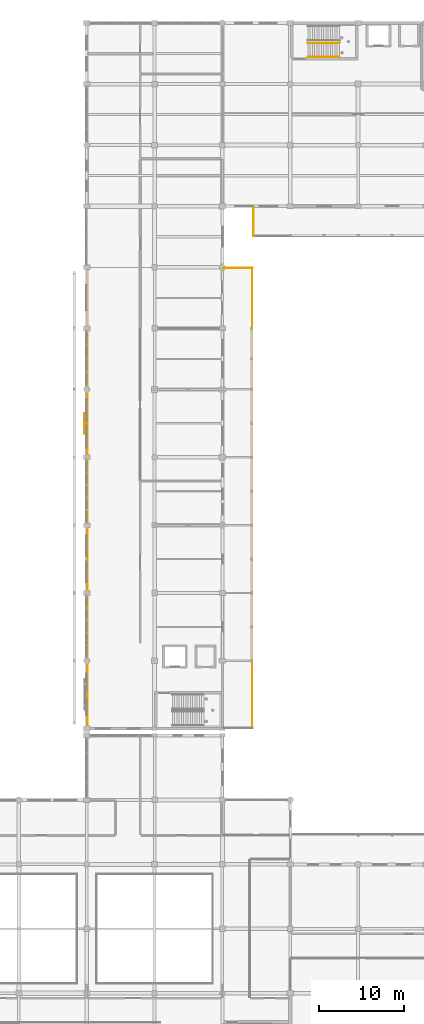
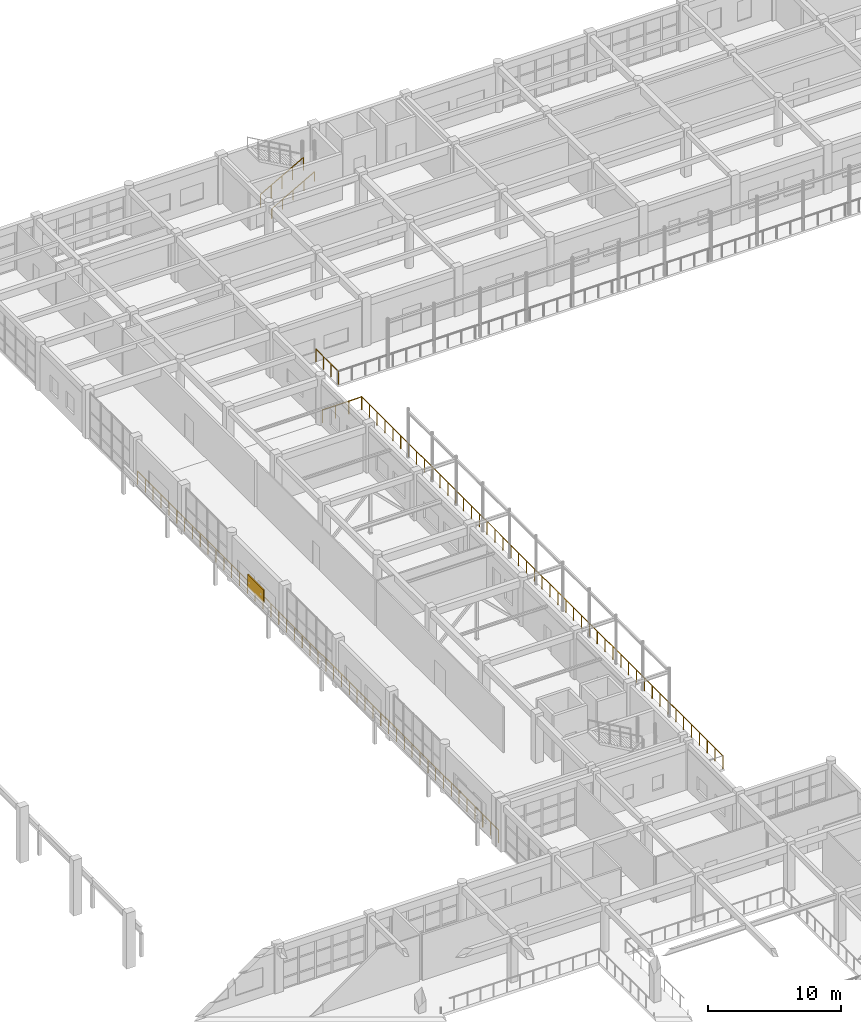
# One storey, part 152 of 160: 6 railings, 1 shading device.
"""IFC4 building model written with IfcOpenShell, lengths in metres."""

from ifc_helpers import new_model, si_unit, direction, frame, origin, origin_2d, place, context, subcontext, project, spatial, rectangle, circle, extrude, material, type_object, element, save


model = new_model("IFC4")

# Units and contexts
model_context = context("Model", 3, precision=1e-05, world=origin(), true_north=direction((0.0, 1.0)))
body_context = subcontext(model_context, "Body", "Model", "MODEL_VIEW")
ifc_project = project(units=[si_unit("LENGTHUNIT", "METRE"), si_unit("AREAUNIT", "SQUARE_METRE"), si_unit("VOLUMEUNIT", "CUBIC_METRE"), si_unit("PLANEANGLEUNIT", "RADIAN"), si_unit("MASSUNIT", "GRAM", prefix="KILO")], contexts=[model_context])

# Site, building, storey
site_placement = place(None, origin())
site = spatial("IfcSite", under=ifc_project, at=site_placement, CompositionType="ELEMENT")
building_placement = place(site_placement, origin())
building = spatial("IfcBuilding", under=site, at=building_placement, Name="Kharva Crest Polytechnic", CompositionType="ELEMENT")
storey_placement = place(building_placement, frame((0.0, 0.0, 4.5)))
storey = spatial("IfcBuildingStorey", under=building, at=storey_placement, Name="L01", CompositionType="ELEMENT", Elevation=4.5)

# Railings
ifc_material_1 = material(Name="Anodised aluminium", Category="aluminium")
railing_type_1 = type_object("IfcRailingType", Name="RL-BALUSTRADE-1200", PredefinedType="BALUSTRADE", material=ifc_material_1)
railing_1_placement = place(storey_placement, frame((48.139892578125, 93.1201171875, 0.0)))
element("IfcRailing", 1, at=railing_1_placement, inside=storey, type_object=railing_type_1, Name="L01 VER_W_L01 N Balustrade 4", PredefinedType="BALUSTRADE", context=body_context, shape_type="SweptSolid", body=[
    extrude(circle(Radius=0.02392578125, at=origin_2d()), frame((0.0, 0.0, 1.17578125), z_axis=(1.0, 0.0, 0.0), x_axis=(0.0, 1.0, 0.0)), (0.0, 0.0, 1.0), 3.400146484375),
    extrude(circle(Radius=0.02099609375, at=origin_2d()), origin(), (0.0, 0.0, 1.0), 1.15185546875),
    extrude(circle(Radius=0.02099609375, at=origin_2d()), frame((1.13330078125, 0.0, 0.0)), (0.0, 0.0, 1.0), 1.15185546875),
    extrude(circle(Radius=0.02099609375, at=origin_2d()), frame((2.266845703125, 0.0, 0.0)), (0.0, 0.0, 1.0), 1.15185546875),
    extrude(circle(Radius=0.02099609375, at=origin_2d()), frame((3.400146484375, 0.0, 0.0)), (0.0, 0.0, 1.0), 1.15185546875),
])
railing_2_placement = place(storey_placement, frame((51.52001953125, 38.860107421875, 0.0)))
element("IfcRailing", 2, at=railing_2_placement, inside=storey, type_object=railing_type_1, Name="L01 VER_W_L01 E Balustrade 5", PredefinedType="BALUSTRADE", context=body_context, shape_type="SweptSolid", body=[
    extrude(circle(Radius=0.02392578125, at=origin_2d()), frame((0.0, 0.0, 1.17578125), z_axis=(0.0, 1.0, 0.0), x_axis=(-1.0, 0.0, 0.0)), (0.0, 0.0, 1.0), 54.27978515625),
    extrude(circle(Radius=0.02099609375, at=origin_2d()), origin(), (0.0, 0.0, 1.0), 1.15185546875),
    extrude(circle(Radius=0.02099609375, at=origin_2d()), frame((0.0, 1.179931640625, 0.0)), (0.0, 0.0, 1.0), 1.15185546875),
    extrude(circle(Radius=0.02099609375, at=origin_2d()), frame((0.0, 2.360107421875, 0.0)), (0.0, 0.0, 1.0), 1.15185546875),
    extrude(circle(Radius=0.02099609375, at=origin_2d()), frame((0.0, 3.5400390625, 0.0)), (0.0, 0.0, 1.0), 1.15185546875),
    extrude(circle(Radius=0.02099609375, at=origin_2d()), frame((0.0, 4.719970703125, 0.0)), (0.0, 0.0, 1.0), 1.15185546875),
    extrude(circle(Radius=0.02099609375, at=origin_2d()), frame((0.0, 5.89990234375, 0.0)), (0.0, 0.0, 1.0), 1.15185546875),
    extrude(circle(Radius=0.02099609375, at=origin_2d()), frame((0.0, 7.080078125, 0.0)), (0.0, 0.0, 1.0), 1.15185546875),
    extrude(circle(Radius=0.02099609375, at=origin_2d()), frame((0.0, 8.260009765625, 0.0)), (0.0, 0.0, 1.0), 1.15185546875),
    extrude(circle(Radius=0.02099609375, at=origin_2d()), frame((0.0, 9.43994140625, 0.0)), (0.0, 0.0, 1.0), 1.15185546875),
    extrude(circle(Radius=0.02099609375, at=origin_2d()), frame((0.0, 10.619873046875, 0.0)), (0.0, 0.0, 1.0), 1.15185546875),
    extrude(circle(Radius=0.02099609375, at=origin_2d()), frame((0.0, 11.800048828125, 0.0)), (0.0, 0.0, 1.0), 1.15185546875),
    extrude(circle(Radius=0.02099609375, at=origin_2d()), frame((0.0, 12.97998046875, 0.0)), (0.0, 0.0, 1.0), 1.15185546875),
    extrude(circle(Radius=0.02099609375, at=origin_2d()), frame((0.0, 14.159912109375, 0.0)), (0.0, 0.0, 1.0), 1.15185546875),
    extrude(circle(Radius=0.02099609375, at=origin_2d()), frame((0.0, 15.33984375, 0.0)), (0.0, 0.0, 1.0), 1.15185546875),
    extrude(circle(Radius=0.02099609375, at=origin_2d()), frame((0.0, 16.52001953125, 0.0)), (0.0, 0.0, 1.0), 1.15185546875),
    extrude(circle(Radius=0.02099609375, at=origin_2d()), frame((0.0, 17.699951171875, 0.0)), (0.0, 0.0, 1.0), 1.15185546875),
    extrude(circle(Radius=0.02099609375, at=origin_2d()), frame((0.0, 18.8798828125, 0.0)), (0.0, 0.0, 1.0), 1.15185546875),
    extrude(circle(Radius=0.02099609375, at=origin_2d()), frame((0.0, 20.059814453125, 0.0)), (0.0, 0.0, 1.0), 1.15185546875),
    extrude(circle(Radius=0.02099609375, at=origin_2d()), frame((0.0, 21.239990234375, 0.0)), (0.0, 0.0, 1.0), 1.15185546875),
    extrude(circle(Radius=0.02099609375, at=origin_2d()), frame((0.0, 22.419921875, 0.0)), (0.0, 0.0, 1.0), 1.15185546875),
    extrude(circle(Radius=0.02099609375, at=origin_2d()), frame((0.0, 23.599853515625, 0.0)), (0.0, 0.0, 1.0), 1.15185546875),
    extrude(circle(Radius=0.02099609375, at=origin_2d()), frame((0.0, 24.77978515625, 0.0)), (0.0, 0.0, 1.0), 1.15185546875),
    extrude(circle(Radius=0.02099609375, at=origin_2d()), frame((0.0, 25.9599609375, 0.0)), (0.0, 0.0, 1.0), 1.15185546875),
    extrude(circle(Radius=0.02099609375, at=origin_2d()), frame((0.0, 27.139892578125, 0.0)), (0.0, 0.0, 1.0), 1.15185546875),
    extrude(circle(Radius=0.02099609375, at=origin_2d()), frame((0.0, 28.31982421875, 0.0)), (0.0, 0.0, 1.0), 1.15185546875),
    extrude(circle(Radius=0.02099609375, at=origin_2d()), frame((0.0, 29.5, 0.0)), (0.0, 0.0, 1.0), 1.15185546875),
    extrude(circle(Radius=0.02099609375, at=origin_2d()), frame((0.0, 30.679931640625, 0.0)), (0.0, 0.0, 1.0), 1.15185546875),
    extrude(circle(Radius=0.02099609375, at=origin_2d()), frame((0.0, 31.85986328125, 0.0)), (0.0, 0.0, 1.0), 1.15185546875),
    extrude(circle(Radius=0.02099609375, at=origin_2d()), frame((0.0, 33.039794921875, 0.0)), (0.0, 0.0, 1.0), 1.15185546875),
    extrude(circle(Radius=0.02099609375, at=origin_2d()), frame((0.0, 34.219970703125, 0.0)), (0.0, 0.0, 1.0), 1.15185546875),
    extrude(circle(Radius=0.02099609375, at=origin_2d()), frame((0.0, 35.39990234375, 0.0)), (0.0, 0.0, 1.0), 1.15185546875),
    extrude(circle(Radius=0.02099609375, at=origin_2d()), frame((0.0, 36.579833984375, 0.0)), (0.0, 0.0, 1.0), 1.15185546875),
    extrude(circle(Radius=0.02099609375, at=origin_2d()), frame((0.0, 37.759765625, 0.0)), (0.0, 0.0, 1.0), 1.15185546875),
    extrude(circle(Radius=0.02099609375, at=origin_2d()), frame((0.0, 38.93994140625, 0.0)), (0.0, 0.0, 1.0), 1.15185546875),
    extrude(circle(Radius=0.02099609375, at=origin_2d()), frame((0.0, 40.119873046875, 0.0)), (0.0, 0.0, 1.0), 1.15185546875),
    extrude(circle(Radius=0.02099609375, at=origin_2d()), frame((0.0, 41.2998046875, 0.0)), (0.0, 0.0, 1.0), 1.15185546875),
    extrude(circle(Radius=0.02099609375, at=origin_2d()), frame((0.0, 42.479736328125, 0.0)), (0.0, 0.0, 1.0), 1.15185546875),
    extrude(circle(Radius=0.02099609375, at=origin_2d()), frame((0.0, 43.659912109375, 0.0)), (0.0, 0.0, 1.0), 1.15185546875),
    extrude(circle(Radius=0.02099609375, at=origin_2d()), frame((0.0, 44.83984375, 0.0)), (0.0, 0.0, 1.0), 1.15185546875),
    extrude(circle(Radius=0.02099609375, at=origin_2d()), frame((0.0, 46.019775390625, 0.0)), (0.0, 0.0, 1.0), 1.15185546875),
    extrude(circle(Radius=0.02099609375, at=origin_2d()), frame((0.0, 47.19970703125, 0.0)), (0.0, 0.0, 1.0), 1.15185546875),
    extrude(circle(Radius=0.02099609375, at=origin_2d()), frame((0.0, 48.3798828125, 0.0)), (0.0, 0.0, 1.0), 1.15185546875),
    extrude(circle(Radius=0.02099609375, at=origin_2d()), frame((0.0, 49.559814453125, 0.0)), (0.0, 0.0, 1.0), 1.15185546875),
    extrude(circle(Radius=0.02099609375, at=origin_2d()), frame((0.0, 50.73974609375, 0.0)), (0.0, 0.0, 1.0), 1.15185546875),
    extrude(circle(Radius=0.02099609375, at=origin_2d()), frame((0.0, 51.919677734375, 0.0)), (0.0, 0.0, 1.0), 1.15185546875),
    extrude(circle(Radius=0.02099609375, at=origin_2d()), frame((0.0, 53.099853515625, 0.0)), (0.0, 0.0, 1.0), 1.15185546875),
    extrude(circle(Radius=0.02099609375, at=origin_2d()), frame((0.0, 54.27978515625, 0.0)), (0.0, 0.0, 1.0), 1.15185546875),
])
railing_3_placement = place(storey_placement, frame((51.679931640625, 96.860107421875, 0.0)))
element("IfcRailing", 3, at=railing_3_placement, inside=storey, type_object=railing_type_1, Name="L01 VER_N_L01 W Balustrade 7", PredefinedType="BALUSTRADE", context=body_context, shape_type="SweptSolid", body=[
    extrude(circle(Radius=0.02392578125, at=origin_2d()), frame((0.0, 0.0, 1.17578125), z_axis=(0.0, 1.0, 0.0), x_axis=(-1.0, 0.0, 0.0)), (0.0, 0.0, 1.0), 3.39990234375),
    extrude(circle(Radius=0.02099609375, at=origin_2d()), origin(), (0.0, 0.0, 1.0), 1.15185546875),
    extrude(circle(Radius=0.02099609375, at=origin_2d()), frame((0.0, 1.13330078125, 0.0)), (0.0, 0.0, 1.0), 1.15185546875),
    extrude(circle(Radius=0.02099609375, at=origin_2d()), frame((0.0, 2.2666015625, 0.0)), (0.0, 0.0, 1.0), 1.15185546875),
    extrude(circle(Radius=0.02099609375, at=origin_2d()), frame((0.0, 3.39990234375, 0.0)), (0.0, 0.0, 1.0), 1.15185546875),
])
railing_type_2 = type_object("IfcRailingType", Name="RL-STAIR-GUARD-1200", PredefinedType="GUARDRAIL", material=ifc_material_1)
railing_4_placement = place(storey_placement, frame((58.090087890625, 119.669921875, 0.14990234375)))
element("IfcRailing", 4, at=railing_4_placement, inside=storey, type_object=railing_type_2, Name="L01 ST-03 stair guard 1", PredefinedType="GUARDRAIL", context=body_context, shape_type="SweptSolid", body=[
    extrude(circle(Radius=0.02392578125, at=origin_2d()), frame((0.0, 0.0, 1.17578125), z_axis=(0.870244811389, 0.0, 0.492619496418), x_axis=(0.0, 1.0, 0.0)), (0.0, 0.0, 1.0), 4.26318359375),
    extrude(circle(Radius=0.02099609375, at=origin_2d()), origin(), (0.0, 0.0, 1.0), 1.15185546875),
    extrude(circle(Radius=0.02099609375, at=origin_2d()), frame((0.927490234375, 0.0, 0.52490234375)), (0.0, 0.0, 1.0), 1.15185546875),
    extrude(circle(Radius=0.02099609375, at=origin_2d()), frame((1.85498046875, 0.0, 1.050048828125)), (0.0, 0.0, 1.0), 1.15185546875),
    extrude(circle(Radius=0.02099609375, at=origin_2d()), frame((2.782470703125, 0.0, 1.5751953125)), (0.0, 0.0, 1.0), 1.15185546875),
    extrude(circle(Radius=0.02099609375, at=origin_2d()), frame((3.7099609375, 0.0, 2.10009765625)), (0.0, 0.0, 1.0), 1.15185546875),
])
ifc_material_2 = material(Name="Teak timber", Category="wood")
railing_type_3 = type_object("IfcRailingType", Name="RL-STAIR-HAND-900", PredefinedType="HANDRAIL", material=ifc_material_2)
railing_5_placement = place(storey_placement, frame((58.090087890625, 117.989990234375, 0.14990234375)))
element("IfcRailing", 5, at=railing_5_placement, inside=storey, type_object=railing_type_3, Name="L01 ST-03 stair handrail 1", PredefinedType="HANDRAIL", context=body_context, shape_type="SweptSolid", body=[
    extrude(circle(Radius=0.02392578125, at=origin_2d()), frame((0.0, 0.0, 0.8759765625), z_axis=(0.870244811389, 0.0, 0.492619496418), x_axis=(0.0, 1.0, 0.0)), (0.0, 0.0, 1.0), 4.26318359375),
    extrude(circle(Radius=0.02099609375, at=origin_2d()), origin(), (0.0, 0.0, 1.0), 0.851806640625),
    extrude(circle(Radius=0.02099609375, at=origin_2d()), frame((0.927490234375, 0.0, 0.52490234375)), (0.0, 0.0, 1.0), 0.851806640625),
    extrude(circle(Radius=0.02099609375, at=origin_2d()), frame((1.85498046875, 0.0, 1.050048828125)), (0.0, 0.0, 1.0), 0.851806640625),
    extrude(circle(Radius=0.02099609375, at=origin_2d()), frame((2.782470703125, 0.0, 1.5751953125)), (0.0, 0.0, 1.0), 0.851806640625),
    extrude(circle(Radius=0.02099609375, at=origin_2d()), frame((3.7099609375, 0.0, 2.10009765625)), (0.0, 0.0, 1.0), 0.851806640625),
])
railing_type_4 = type_object("IfcRailingType", Name="RL-VOID-GUARD-1200", PredefinedType="GUARDRAIL", material=ifc_material_1)
railing_6_placement = place(storey_placement, frame((32.080078125, 38.89990234375, 0.0)))
element("IfcRailing", 6, at=railing_6_placement, inside=storey, type_object=railing_type_4, Name="L01 Workshop Mezzanine Overlook Guard", PredefinedType="GUARDRAIL", context=body_context, shape_type="SweptSolid", body=[
    extrude(circle(Radius=0.02392578125, at=origin_2d()), frame((0.0, 0.0, 1.17578125), z_axis=(0.0, 1.0, 0.0), x_axis=(-1.0, 0.0, 0.0)), (0.0, 0.0, 1.0), 54.2001953125),
    extrude(circle(Radius=0.02099609375, at=origin_2d()), origin(), (0.0, 0.0, 1.0), 1.15185546875),
    extrude(circle(Radius=0.02099609375, at=origin_2d()), frame((0.0, 1.17822265625, 0.0)), (0.0, 0.0, 1.0), 1.15185546875),
    extrude(circle(Radius=0.02099609375, at=origin_2d()), frame((0.0, 2.3564453125, 0.0)), (0.0, 0.0, 1.0), 1.15185546875),
    extrude(circle(Radius=0.02099609375, at=origin_2d()), frame((0.0, 3.534912109375, 0.0)), (0.0, 0.0, 1.0), 1.15185546875),
    extrude(circle(Radius=0.02099609375, at=origin_2d()), frame((0.0, 4.713134765625, 0.0)), (0.0, 0.0, 1.0), 1.15185546875),
    extrude(circle(Radius=0.02099609375, at=origin_2d()), frame((0.0, 5.891357421875, 0.0)), (0.0, 0.0, 1.0), 1.15185546875),
    extrude(circle(Radius=0.02099609375, at=origin_2d()), frame((0.0, 7.069580078125, 0.0)), (0.0, 0.0, 1.0), 1.15185546875),
    extrude(circle(Radius=0.02099609375, at=origin_2d()), frame((0.0, 8.247802734375, 0.0)), (0.0, 0.0, 1.0), 1.15185546875),
    extrude(circle(Radius=0.02099609375, at=origin_2d()), frame((0.0, 9.426025390625, 0.0)), (0.0, 0.0, 1.0), 1.15185546875),
    extrude(circle(Radius=0.02099609375, at=origin_2d()), frame((0.0, 10.6044921875, 0.0)), (0.0, 0.0, 1.0), 1.15185546875),
    extrude(circle(Radius=0.02099609375, at=origin_2d()), frame((0.0, 11.78271484375, 0.0)), (0.0, 0.0, 1.0), 1.15185546875),
    extrude(circle(Radius=0.02099609375, at=origin_2d()), frame((0.0, 12.9609375, 0.0)), (0.0, 0.0, 1.0), 1.15185546875),
    extrude(circle(Radius=0.02099609375, at=origin_2d()), frame((0.0, 14.13916015625, 0.0)), (0.0, 0.0, 1.0), 1.15185546875),
    extrude(circle(Radius=0.02099609375, at=origin_2d()), frame((0.0, 15.3173828125, 0.0)), (0.0, 0.0, 1.0), 1.15185546875),
    extrude(circle(Radius=0.02099609375, at=origin_2d()), frame((0.0, 16.49560546875, 0.0)), (0.0, 0.0, 1.0), 1.15185546875),
    extrude(circle(Radius=0.02099609375, at=origin_2d()), frame((0.0, 17.674072265625, 0.0)), (0.0, 0.0, 1.0), 1.15185546875),
    extrude(circle(Radius=0.02099609375, at=origin_2d()), frame((0.0, 18.852294921875, 0.0)), (0.0, 0.0, 1.0), 1.15185546875),
    extrude(circle(Radius=0.02099609375, at=origin_2d()), frame((0.0, 20.030517578125, 0.0)), (0.0, 0.0, 1.0), 1.15185546875),
    extrude(circle(Radius=0.02099609375, at=origin_2d()), frame((0.0, 21.208740234375, 0.0)), (0.0, 0.0, 1.0), 1.15185546875),
    extrude(circle(Radius=0.02099609375, at=origin_2d()), frame((0.0, 22.386962890625, 0.0)), (0.0, 0.0, 1.0), 1.15185546875),
    extrude(circle(Radius=0.02099609375, at=origin_2d()), frame((0.0, 23.565185546875, 0.0)), (0.0, 0.0, 1.0), 1.15185546875),
    extrude(circle(Radius=0.02099609375, at=origin_2d()), frame((0.0, 24.74365234375, 0.0)), (0.0, 0.0, 1.0), 1.15185546875),
    extrude(circle(Radius=0.02099609375, at=origin_2d()), frame((0.0, 25.921875, 0.0)), (0.0, 0.0, 1.0), 1.15185546875),
    extrude(circle(Radius=0.02099609375, at=origin_2d()), frame((0.0, 27.10009765625, 0.0)), (0.0, 0.0, 1.0), 1.15185546875),
    extrude(circle(Radius=0.02099609375, at=origin_2d()), frame((0.0, 28.2783203125, 0.0)), (0.0, 0.0, 1.0), 1.15185546875),
    extrude(circle(Radius=0.02099609375, at=origin_2d()), frame((0.0, 29.45654296875, 0.0)), (0.0, 0.0, 1.0), 1.15185546875),
    extrude(circle(Radius=0.02099609375, at=origin_2d()), frame((0.0, 30.635009765625, 0.0)), (0.0, 0.0, 1.0), 1.15185546875),
    extrude(circle(Radius=0.02099609375, at=origin_2d()), frame((0.0, 31.813232421875, 0.0)), (0.0, 0.0, 1.0), 1.15185546875),
    extrude(circle(Radius=0.02099609375, at=origin_2d()), frame((0.0, 32.991455078125, 0.0)), (0.0, 0.0, 1.0), 1.15185546875),
    extrude(circle(Radius=0.02099609375, at=origin_2d()), frame((0.0, 34.169677734375, 0.0)), (0.0, 0.0, 1.0), 1.15185546875),
    extrude(circle(Radius=0.02099609375, at=origin_2d()), frame((0.0, 35.347900390625, 0.0)), (0.0, 0.0, 1.0), 1.15185546875),
    extrude(circle(Radius=0.02099609375, at=origin_2d()), frame((0.0, 36.526123046875, 0.0)), (0.0, 0.0, 1.0), 1.15185546875),
    extrude(circle(Radius=0.02099609375, at=origin_2d()), frame((0.0, 37.70458984375, 0.0)), (0.0, 0.0, 1.0), 1.15185546875),
    extrude(circle(Radius=0.02099609375, at=origin_2d()), frame((0.0, 38.8828125, 0.0)), (0.0, 0.0, 1.0), 1.15185546875),
    extrude(circle(Radius=0.02099609375, at=origin_2d()), frame((0.0, 40.06103515625, 0.0)), (0.0, 0.0, 1.0), 1.15185546875),
    extrude(circle(Radius=0.02099609375, at=origin_2d()), frame((0.0, 41.2392578125, 0.0)), (0.0, 0.0, 1.0), 1.15185546875),
    extrude(circle(Radius=0.02099609375, at=origin_2d()), frame((0.0, 42.41748046875, 0.0)), (0.0, 0.0, 1.0), 1.15185546875),
    extrude(circle(Radius=0.02099609375, at=origin_2d()), frame((0.0, 43.595703125, 0.0)), (0.0, 0.0, 1.0), 1.15185546875),
    extrude(circle(Radius=0.02099609375, at=origin_2d()), frame((0.0, 44.774169921875, 0.0)), (0.0, 0.0, 1.0), 1.15185546875),
    extrude(circle(Radius=0.02099609375, at=origin_2d()), frame((0.0, 45.952392578125, 0.0)), (0.0, 0.0, 1.0), 1.15185546875),
    extrude(circle(Radius=0.02099609375, at=origin_2d()), frame((0.0, 47.130615234375, 0.0)), (0.0, 0.0, 1.0), 1.15185546875),
    extrude(circle(Radius=0.02099609375, at=origin_2d()), frame((0.0, 48.308837890625, 0.0)), (0.0, 0.0, 1.0), 1.15185546875),
    extrude(circle(Radius=0.02099609375, at=origin_2d()), frame((0.0, 49.487060546875, 0.0)), (0.0, 0.0, 1.0), 1.15185546875),
    extrude(circle(Radius=0.02099609375, at=origin_2d()), frame((0.0, 50.665283203125, 0.0)), (0.0, 0.0, 1.0), 1.15185546875),
    extrude(circle(Radius=0.02099609375, at=origin_2d()), frame((0.0, 51.84375, 0.0)), (0.0, 0.0, 1.0), 1.15185546875),
    extrude(circle(Radius=0.02099609375, at=origin_2d()), frame((0.0, 53.02197265625, 0.0)), (0.0, 0.0, 1.0), 1.15185546875),
    extrude(circle(Radius=0.02099609375, at=origin_2d()), frame((0.0, 54.2001953125, 0.0)), (0.0, 0.0, 1.0), 1.15185546875),
])

# Shading device
ifc_material_3 = material(Name="Perforated terracotta", Category="masonry")
shading_device_type = type_object("IfcShadingDeviceType", Name="SHD-LOUVRE-2400X1200", PredefinedType="USERDEFINED", material=ifc_material_3)
shading_device_placement = place(storey_placement, frame((31.76953125, 74.78369140625, 1.0498046875), z_axis=(0.0, 0.0, 1.0), x_axis=(0.0, 1.0, 0.0)))
element("IfcShadingDevice", 7, at=shading_device_placement, inside=storey, type_object=shading_device_type, Name="L01 Terracotta Jaali Solar Screen 35", ObjectType="LOUVRE", PredefinedType="USERDEFINED", context=body_context, shape_type="SweptSolid", body=[
    extrude(rectangle(XDim=2.39990234375, YDim=0.10009765625, at=origin_2d()), origin(), (0.0, 0.0, 1.0), 1.199951171875),
])

save(model, "model.ifc")
